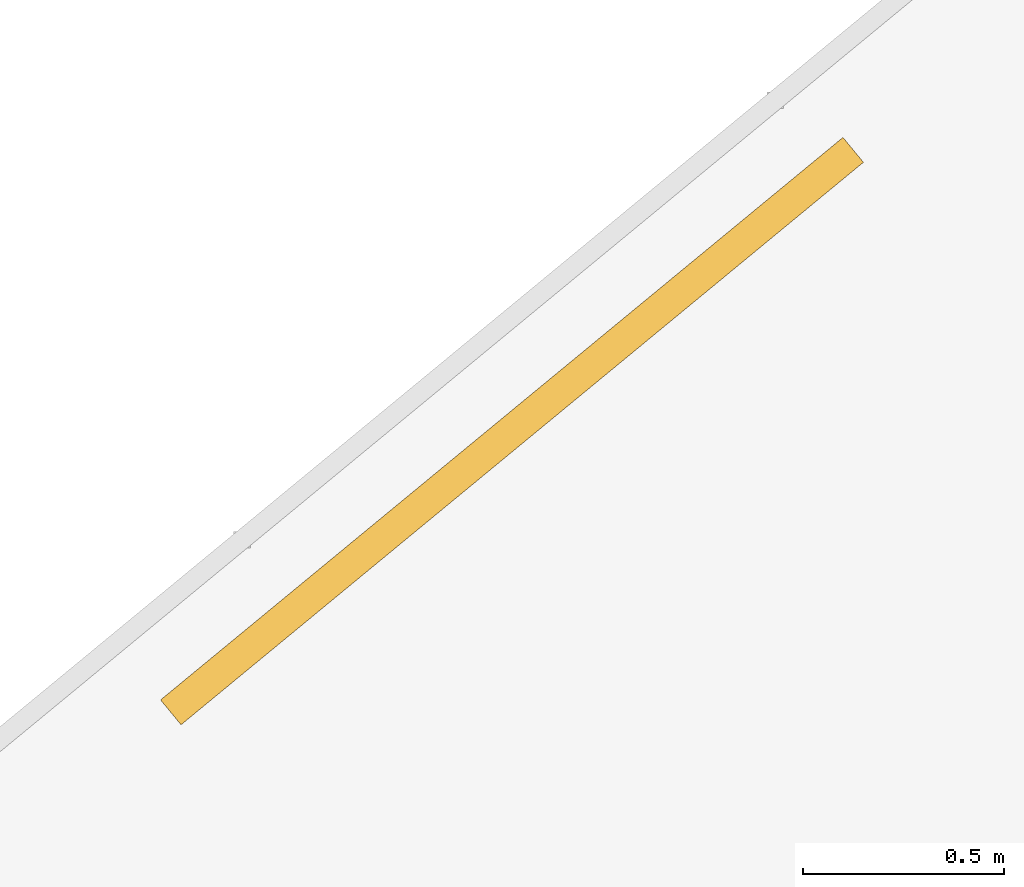
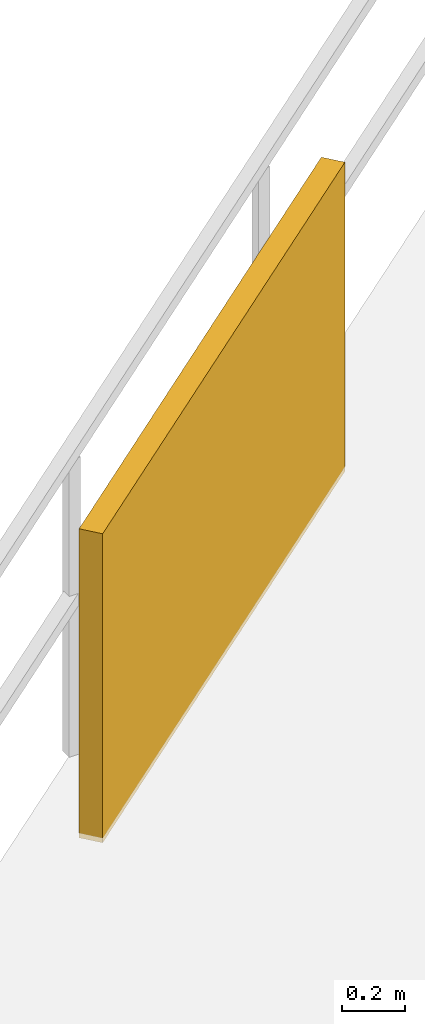
# One storey, part 29 of 30: 1 shading device.
"""IFC4 building model written with IfcOpenShell, lengths in metres."""

from ifc_helpers import new_model, si_unit, direction, frame, origin, origin_2d, place, context, subcontext, project, spatial, rectangle, extrude, material, type_object, element, save


model = new_model("IFC4")

# Units and contexts
model_context = context("Model", 3, precision=1e-05, world=origin(), true_north=direction((0.0, 1.0)))
body_context = subcontext(model_context, "Body", "Model", "MODEL_VIEW")
ifc_project = project(units=[si_unit("LENGTHUNIT", "METRE"), si_unit("AREAUNIT", "SQUARE_METRE"), si_unit("VOLUMEUNIT", "CUBIC_METRE"), si_unit("PLANEANGLEUNIT", "RADIAN"), si_unit("MASSUNIT", "GRAM", prefix="KILO")], contexts=[model_context])

# Site, building, storey
site_placement = place(None, origin())
site = spatial("IfcSite", under=ifc_project, at=site_placement, CompositionType="ELEMENT")
building_placement = place(site_placement, origin())
building = spatial("IfcBuilding", under=site, at=building_placement, Name="Vorneva Point Tower", CompositionType="ELEMENT")
storey_placement = place(building_placement, frame((0.0, 0.0, 262.64990234375)))
storey = spatial("IfcBuildingStorey", under=building, at=storey_placement, Name="L71", CompositionType="ELEMENT", Elevation=262.64990234375)

# Shading device
ifc_material = material(Name="Pale anodised aluminium", Category="aluminium")
shading_device_type = type_object("IfcShadingDeviceType", Name="SHD-JAL-1200", PredefinedType="JALOUSIE", material=ifc_material)
shading_device_placement = place(storey_placement, frame((20.1884765625, 43.031982421875, -0.02001953125), z_axis=(0.0, 0.0, 1.0), x_axis=(-0.771657887308, -0.636037817237, 0.0)))
element("IfcShadingDevice", 1, at=shading_device_placement, inside=storey, type_object=shading_device_type, Name="L71 Balcony Vertical-Greenery Planter Screen NW.2", PredefinedType="JALOUSIE", context=body_context, shape_type="SweptSolid", body=[
    extrude(rectangle(XDim=2.199951171875, YDim=0.080078125, at=origin_2d()), origin(), (0.0, 0.0, 1.0), 1.199951171875),
])

save(model, "model.ifc")
